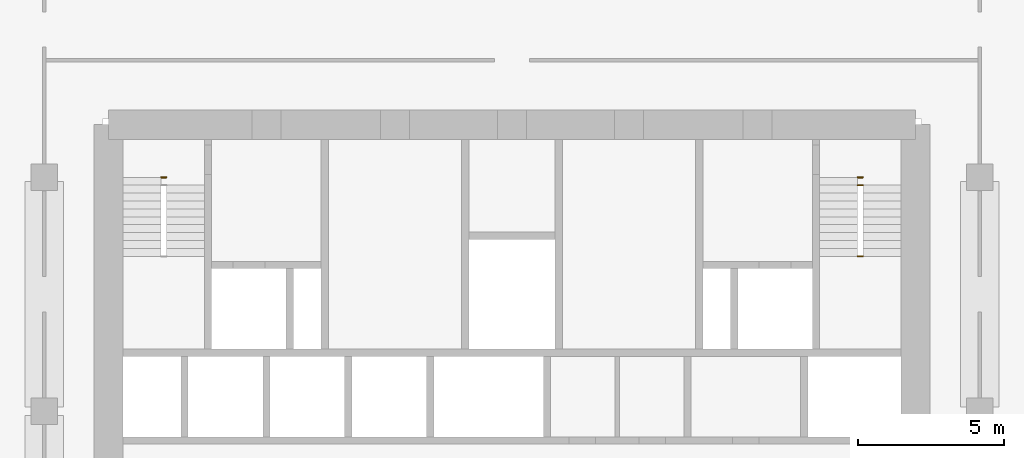
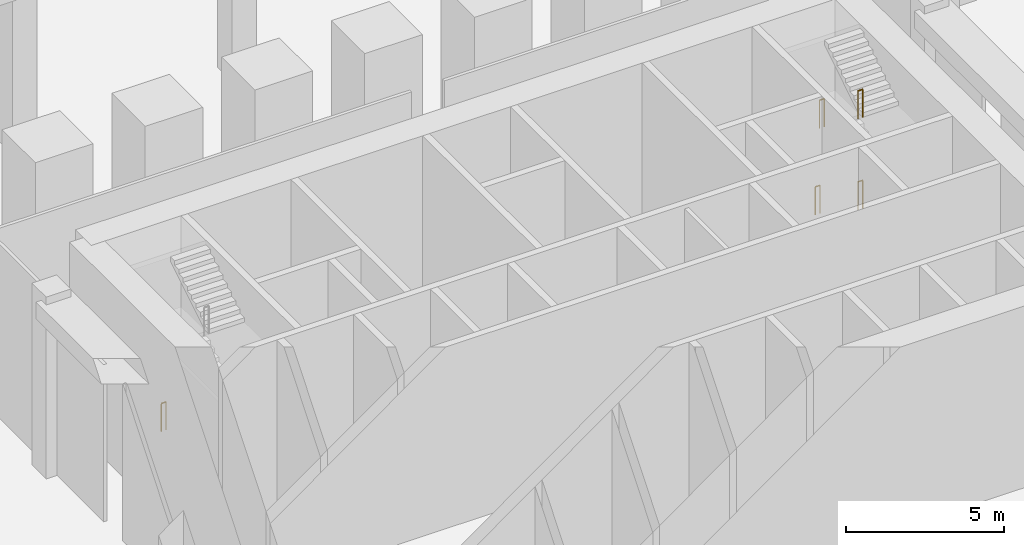
# One storey, part 17 of 18: 5 railings.
"""IFC4 building model written with IfcOpenShell, lengths in metres."""

from ifc_helpers import new_model, si_unit, direction, frame, origin, origin_2d, place, context, subcontext, project, spatial, circle, extrude, material, type_object, element, save


model = new_model("IFC4")

# Units and contexts
model_context = context("Model", 3, precision=1e-05, world=origin(), true_north=direction((0.0, 1.0)))
body_context = subcontext(model_context, "Body", "Model", "MODEL_VIEW")
ifc_project = project(units=[si_unit("LENGTHUNIT", "METRE"), si_unit("AREAUNIT", "SQUARE_METRE"), si_unit("VOLUMEUNIT", "CUBIC_METRE"), si_unit("PLANEANGLEUNIT", "RADIAN"), si_unit("MASSUNIT", "GRAM", prefix="KILO")], contexts=[model_context])

# Site, building, storey
site_placement = place(None, origin())
site = spatial("IfcSite", under=ifc_project, at=site_placement, CompositionType="ELEMENT")
building_placement = place(site_placement, origin())
building = spatial("IfcBuilding", under=site, at=building_placement, Name="Isbrekke Arena Tower", CompositionType="ELEMENT")
storey_placement = place(building_placement, frame((0.0, 0.0, 12.0)))
storey = spatial("IfcBuildingStorey", under=building, at=storey_placement, Name="L02", CompositionType="ELEMENT", Elevation=12.0)

# Railings
ifc_material = material(Name="Steel stair guard, vertical bars, steel handrail", Category="steel")
railing_type = type_object("IfcRailingType", Name="GR3 STAIR WELL GUARD 1100", PredefinedType="GUARDRAIL", material=ifc_material)
for number, where, name in (
    (1, (-12.0, 22.0, 0.0), "GR3 stair well guard ST1 L02"),
    (2, (11.824951171875, 22.0, 0.0), "GR3 stair well guard ST2 L02"),
    (3, (11.824951171875, 19.300048828125, 1.833251953125), "GR3 stair well guard ST2 L02"),
    (4, (11.824951171875, 21.72998046875, 3.5), "GR3 stair well guard ST2 L02"),
    (5, (11.824951171875, 19.300048828125, 5.333251953125), "GR3 stair well guard ST2 L02"),
):
    element("IfcRailing", number, at=place(storey_placement, frame(where)), inside=storey, type_object=railing_type, Name=name, PredefinedType="GUARDRAIL", context=body_context, shape_type="SweptSolid", body=[
        extrude(circle(Radius=0.02392578125, at=origin_2d()), frame((0.0, 0.0, 1.076171875), z_axis=(1.0, 0.0, 0.0), x_axis=(0.0, 1.0, 0.0)), (0.0, 0.0, 1.0), 0.175048828125),
        extrude(circle(Radius=0.02099609375, at=origin_2d()), origin(), (0.0, 0.0, 1.0), 1.052001953125),
        extrude(circle(Radius=0.02099609375, at=origin_2d()), frame((0.175048828125, 0.0, 0.0)), (0.0, 0.0, 1.0), 1.052001953125),
    ])

save(model, "model.ifc")
